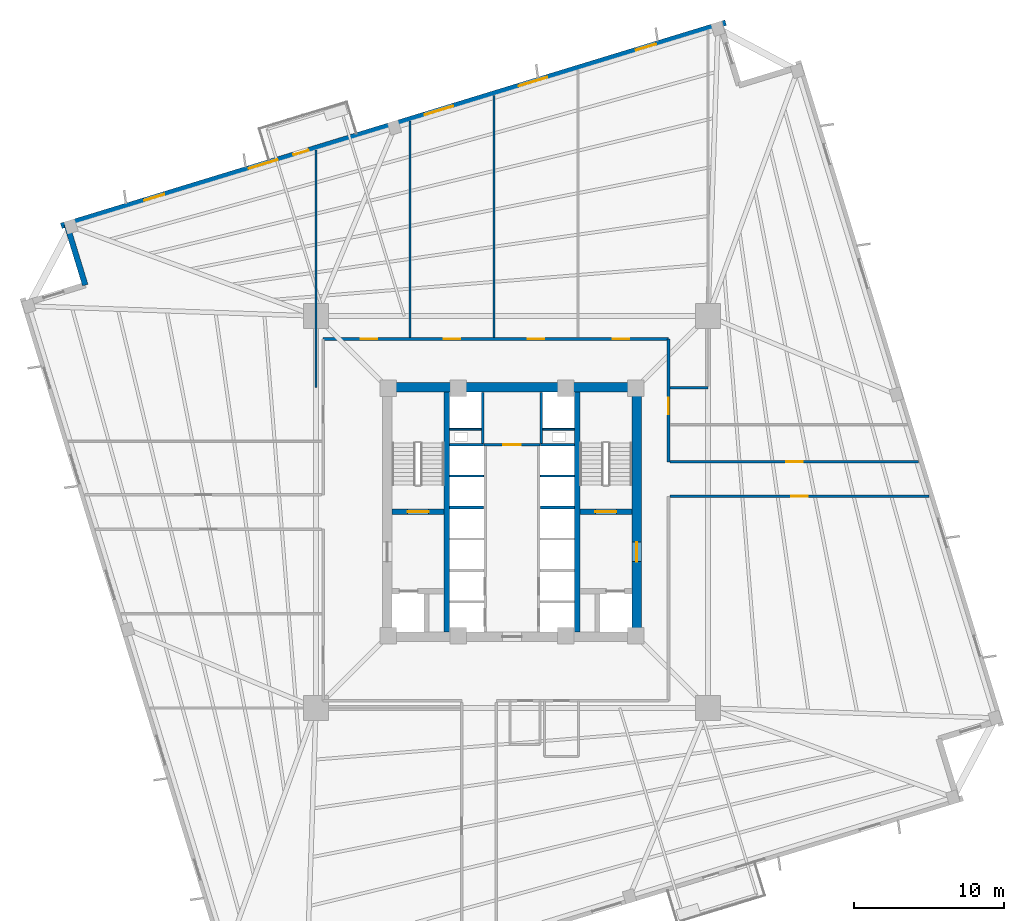
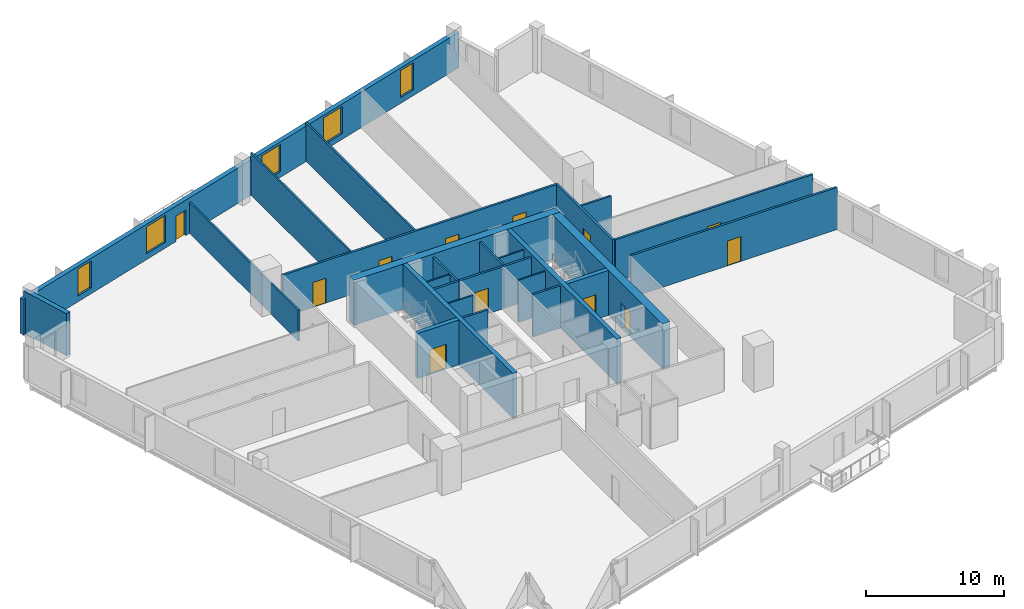
# One storey, part 4 of 8: 27 walls, 12 doors, 5 windows, 17 openings.
"""IFC4 building model written with IfcOpenShell, lengths in metres."""

from ifc_helpers import new_model, si_unit, direction, frame, frame_2d, origin, place, context, subcontext, project, spatial, rectangle, extrude, source, transform, mapped, material, layer, layer_set, type_object, element, fill, save


model = new_model("IFC4")

# Units and contexts
model_context = context("Model", 3, precision=1e-05, world=origin(), true_north=direction((0.0, 1.0)))
body_context = subcontext(model_context, "Body", "Model", "MODEL_VIEW")
ifc_project = project(units=[si_unit("LENGTHUNIT", "METRE"), si_unit("AREAUNIT", "SQUARE_METRE"), si_unit("VOLUMEUNIT", "CUBIC_METRE"), si_unit("PLANEANGLEUNIT", "RADIAN"), si_unit("MASSUNIT", "GRAM", prefix="KILO"), si_unit("THERMODYNAMICTEMPERATUREUNIT", "KELVIN")], contexts=[model_context])

# Site, building, storey
site_placement = place(None, origin())
site = spatial("IfcSite", under=ifc_project, at=site_placement, CompositionType="ELEMENT")
building_placement = place(site_placement, origin())
building = spatial("IfcBuilding", under=site, at=building_placement, Name="Kosmvard Interchange Tower", CompositionType="ELEMENT")
storey_placement = place(building_placement, frame((0.0, 0.0, 87.199951171875)))
storey = spatial("IfcBuildingStorey", under=building, at=storey_placement, Name="L20", CompositionType="ELEMENT", Elevation=87.199951171875)

# Walls
ifc_material_1 = material(Name="Acoustic gypsum partition system")
ifc_layer_1 = layer(ifc_material_1, 0.14990234375, Name="Acoustic gypsum partition system")
ifc_layer_set_1 = layer_set([ifc_layer_1], Name="Acoustic gypsum partition system")
wall_type_1 = type_object("IfcWallType", Name="Acoustic Suite & Meeting Partition 150", PredefinedType="PARTITIONING", material=ifc_layer_set_1)
wall_1_placement = place(storey_placement, frame((-13.0810546875, 8.300048828125, 0.0), z_axis=(0.0, 0.0, 1.0), x_axis=(0.0, 1.0, 0.0)))
element("IfcWall", 1, at=wall_1_placement, inside=storey, type_object=wall_type_1, Name="L20 Room Partition 02.1", PredefinedType="PARTITIONING", context=body_context, shape_type="SweptSolid", body=[
    extrude(rectangle(XDim=15.866455078125, YDim=0.14990234375, at=frame_2d((7.93310546875, 0.0))), origin(), (0.0, 0.0, 1.0), 2.73193359375),
])
wall_2_placement = place(storey_placement, frame((-6.800048828125, 11.64501953125, 0.0), z_axis=(0.0, 0.0, 1.0), x_axis=(0.0, 1.0, 0.0)))
element("IfcWall", 2, at=wall_2_placement, inside=storey, type_object=wall_type_1, Name="L20 Room Partition 03.1", PredefinedType="PARTITIONING", context=body_context, shape_type="SweptSolid", body=[
    extrude(rectangle(XDim=14.441650390625, YDim=0.14990234375, at=frame_2d((7.220703125, 0.0))), origin(), (0.0, 0.0, 1.0), 3.739990234375),
])
wall_3_placement = place(storey_placement, frame((-1.199951171875, 11.64501953125, 0.0), z_axis=(0.0, 0.0, 1.0), x_axis=(0.0, 1.0, 0.0)))
element("IfcWall", 3, at=wall_3_placement, inside=storey, type_object=wall_type_1, Name="L20 Room Partition 04.1", PredefinedType="PARTITIONING", context=body_context, shape_type="SweptSolid", body=[
    extrude(rectangle(XDim=16.15380859375, YDim=0.14990234375, at=frame_2d((8.076904296875, 0.0))), origin(), (0.0, 0.0, 1.0), 3.41015625),
])
wall_4_placement = place(storey_placement, frame((10.544921875, 8.300048828125, 0.0), z_axis=(0.0, 0.0, 1.0), x_axis=(1.0, 0.0, 0.0)))
element("IfcWall", 4, at=wall_4_placement, inside=storey, type_object=wall_type_1, Name="L20 Room Partition 06.1", PredefinedType="PARTITIONING", context=body_context, shape_type="SweptSolid", body=[
    extrude(rectangle(XDim=2.5361328125, YDim=0.14990234375, at=frame_2d((1.26806640625, 0.0))), origin(), (0.0, 0.0, 1.0), 3.739990234375),
])
ifc_material_2 = material(Name="Fire-rated gypsum partition system")
ifc_layer_2 = layer(ifc_material_2, 0.159912109375, Name="Fire-rated gypsum partition system")
ifc_layer_set_2 = layer_set([ifc_layer_2], Name="Fire-rated gypsum partition system")
wall_type_2 = type_object("IfcWallType", Name="Core Compartment & Shuttle Lobby Partition 160", PredefinedType="PARTITIONING", material=ifc_layer_set_2)
for number, where, z_axis, x_axis, name in (
    (5, (-1.9599609375, 4.580078125, 0.0), (0.0, 0.0, 1.0), (0.0, 1.0, 0.0), "L20 North Core West Wall"),
    (6, (1.9599609375, 4.580078125, 0.0), (0.0, 0.0, 1.0), (0.0, 1.0, 0.0), "L20 North Core East Wall"),
):
    element("IfcWall", number, at=place(storey_placement, frame(where, z_axis=z_axis, x_axis=x_axis)), inside=storey, type_object=wall_type_2, Name=name, PredefinedType="PARTITIONING", context=body_context, shape_type="SweptSolid", body=[
        extrude(rectangle(XDim=3.39990234375, YDim=0.159912109375, at=frame_2d((1.699951171875, 0.0))), origin(), (0.0, 0.0, 1.0), 3.739990234375),
    ])

# Wall, opening, door
ifc_layer_3 = layer(ifc_material_2, 0.179931640625, Name="Fire-rated gypsum partition system")
ifc_layer_set_3 = layer_set([ifc_layer_3], Name="Fire-rated gypsum partition system")
wall_type_3 = type_object("IfcWallType", Name="Corridor & Hotel Compartment Partition 180", PredefinedType="PARTITIONING", material=ifc_layer_set_3)
wall_5_placement = place(storey_placement, frame((-1.8798828125, 4.489990234375, 0.0), z_axis=(0.0, 0.0, 1.0), x_axis=(1.0, 0.0, 0.0)))
wall_5 = element("IfcWall", 7, at=wall_5_placement, inside=storey, type_object=wall_type_3, Name="L20 Lift Lobby North Partition", PredefinedType="PARTITIONING", context=body_context, shape_type="SweptSolid", body=[
    extrude(rectangle(XDim=3.759765625, YDim=0.179931640625, at=frame_2d((1.8798828125, 0.0))), origin(), (0.0, 0.0, 1.0), 3.739990234375),
])
opening_1_placement = place(wall_5_placement, frame((1.304931640625, 0.0, 0.0)))
opening_1 = element("IfcOpeningElement", 8, at=opening_1_placement, cuts=wall_5, Name="Opening L20-KD1", PredefinedType="OPENING", context=body_context, shape_type="SweptSolid", body=[
    extrude(rectangle(XDim=1.14990234375, YDim=2.25, at=frame_2d((0.574951171875, 1.125))), frame((0.0, 0.10009765625, 0.0), z_axis=(0.0, -1.0, 0.0), x_axis=(1.0, 0.0, 0.0)), (0.0, 0.0, 1.0), 0.199951171875),
])
ifc_material_3 = material(Name="Painted fire-rated steel leaf", Category="steel")
door_type_1 = type_object("IfcDoorType", Name="Plant & Riser Fire Door 1150x2250 EI60", OperationType="NOTDEFINED", PredefinedType="DOOR", material=ifc_material_3)
shared_shape_1 = source(origin(), body_context, "Body", "SweptSolid", [
    extrude(rectangle(XDim=1.14990234375, YDim=2.25, at=frame_2d((0.574951171875, 1.125))), frame((0.0, 0.02490234375, 0.0), z_axis=(0.0, -1.0, 0.0), x_axis=(1.0, 0.0, 0.0)), (0.0, 0.0, 1.0), 0.050048828125),
])
door_1_placement = place(opening_1_placement, origin())
door_1 = element("IfcDoor", 9, at=door_1_placement, inside=storey, type_object=door_type_1, Name="L20 Core IT Room Door", OperationType="SINGLE_SWING_LEFT", OverallHeight=2.25, OverallWidth=1.14990234375, PredefinedType="DOOR", context=body_context, shape_type="MappedRepresentation", body=[
    mapped(shared_shape_1, transform((0.0, 0.0, 0.0), scale=1.0)),
])
fill(opening_1, door_1)

# Wall, openings, doors
wall_6_placement = place(storey_placement, frame((-12.60009765625, 11.550048828125, 0.0), z_axis=(0.0, 0.0, 1.0), x_axis=(1.0, 0.0, 0.0)))
wall_6 = element("IfcWall", 10, at=wall_6_placement, inside=storey, type_object=wall_type_3, Name="L20 Corridor Wall CN", PredefinedType="PARTITIONING", context=body_context, shape_type="SweptSolid", body=[
    extrude(rectangle(XDim=23.050048828125, YDim=0.179931640625, at=frame_2d((11.52490234375, 0.0))), origin(), (0.0, 0.0, 1.0), 3.739990234375),
])
opening_2_placement = place(wall_6_placement, frame((2.514404296875, 0.0, 0.0)))
opening_2 = element("IfcOpeningElement", 11, at=opening_2_placement, cuts=wall_6, Name="Opening L20-D05", PredefinedType="OPENING", context=body_context, shape_type="SweptSolid", body=[
    extrude(rectangle(XDim=1.10009765625, YDim=2.199951171875, at=frame_2d((0.550048828125, 1.10009765625))), frame((0.0, 0.10009765625, 0.0), z_axis=(0.0, -1.0, 0.0), x_axis=(1.0, 0.0, 0.0)), (0.0, 0.0, 1.0), 0.199951171875),
])
opening_3_placement = place(wall_6_placement, frame((8.050048828125, 0.0, 0.0)))
opening_3 = element("IfcOpeningElement", 12, at=opening_3_placement, cuts=wall_6, Name="Opening L20-D06", PredefinedType="OPENING", context=body_context, shape_type="SweptSolid", body=[
    extrude(rectangle(XDim=1.10009765625, YDim=2.199951171875, at=frame_2d((0.550048828125, 1.10009765625))), frame((0.0, 0.10009765625, 0.0), z_axis=(0.0, -1.0, 0.0), x_axis=(1.0, 0.0, 0.0)), (0.0, 0.0, 1.0), 0.199951171875),
])
opening_4_placement = place(wall_6_placement, frame((13.64990234375, 0.0, 0.0)))
opening_4 = element("IfcOpeningElement", 13, at=opening_4_placement, cuts=wall_6, Name="Opening L20-D07", PredefinedType="OPENING", context=body_context, shape_type="SweptSolid", body=[
    extrude(rectangle(XDim=1.10009765625, YDim=2.199951171875, at=frame_2d((0.550048828125, 1.10009765625))), frame((0.0, 0.10009765625, 0.0), z_axis=(0.0, -1.0, 0.0), x_axis=(1.0, 0.0, 0.0)), (0.0, 0.0, 1.0), 0.199951171875),
])
opening_5_placement = place(wall_6_placement, frame((19.310546875, 0.0, 0.0)))
opening_5 = element("IfcOpeningElement", 14, at=opening_5_placement, cuts=wall_6, Name="Opening L20-D08", PredefinedType="OPENING", context=body_context, shape_type="SweptSolid", body=[
    extrude(rectangle(XDim=1.10009765625, YDim=2.199951171875, at=frame_2d((0.550048828125, 1.10009765625))), frame((0.0, 0.10009765625, 0.0), z_axis=(0.0, -1.0, 0.0), x_axis=(1.0, 0.0, 0.0)), (0.0, 0.0, 1.0), 0.199951171875),
])
ifc_material_4 = material(Name="Engineered oak fire-rated timber", Category="wood")
door_type_2 = type_object("IfcDoorType", Name="Office Suite Entrance Door 1100x2200 FD30S", OperationType="NOTDEFINED", PredefinedType="DOOR", material=ifc_material_4)
shared_shape_2 = source(origin(), body_context, "Body", "SweptSolid", [
    extrude(rectangle(XDim=1.10009765625, YDim=2.199951171875, at=frame_2d((0.550048828125, 1.10009765625))), frame((0.0, 0.02490234375, 0.0), z_axis=(0.0, -1.0, 0.0), x_axis=(1.0, 0.0, 0.0)), (0.0, 0.0, 1.0), 0.050048828125),
])
door_2_placement = place(opening_2_placement, origin())
door_2 = element("IfcDoor", 15, at=door_2_placement, inside=storey, type_object=door_type_2, Name="L20 Corporate Office 3 Door", OperationType="SINGLE_SWING_LEFT", OverallHeight=2.199951171875, OverallWidth=1.10009765625, PredefinedType="DOOR", context=body_context, shape_type="MappedRepresentation", body=[
    mapped(shared_shape_2, transform((0.0, 0.0, 0.0), scale=1.0)),
])
fill(opening_2, door_2)
door_3_placement = place(opening_3_placement, origin())
door_3 = element("IfcDoor", 16, at=door_3_placement, inside=storey, type_object=door_type_2, Name="L20 Corporate Office 4 Door", OperationType="SINGLE_SWING_RIGHT", OverallHeight=2.199951171875, OverallWidth=1.10009765625, PredefinedType="DOOR", context=body_context, shape_type="MappedRepresentation", body=[
    mapped(shared_shape_2, transform((0.0, 0.0, 0.0), scale=1.0)),
])
fill(opening_3, door_3)
door_4_placement = place(opening_4_placement, origin())
door_4 = element("IfcDoor", 17, at=door_4_placement, inside=storey, type_object=door_type_2, Name="L20 Corporate Office 5 Door", OperationType="SINGLE_SWING_LEFT", OverallHeight=2.199951171875, OverallWidth=1.10009765625, PredefinedType="DOOR", context=body_context, shape_type="MappedRepresentation", body=[
    mapped(shared_shape_2, transform((0.0, 0.0, 0.0), scale=1.0)),
])
fill(opening_4, door_4)
door_5_placement = place(opening_5_placement, origin())
door_5 = element("IfcDoor", 18, at=door_5_placement, inside=storey, type_object=door_type_2, Name="L20 Boardroom 1 Door", OperationType="SINGLE_SWING_RIGHT", OverallHeight=2.199951171875, OverallWidth=1.10009765625, PredefinedType="DOOR", context=body_context, shape_type="MappedRepresentation", body=[
    mapped(shared_shape_2, transform((0.0, 0.0, 0.0), scale=1.0)),
])
fill(opening_5, door_5)

# Wall, opening, door
wall_7_placement = place(storey_placement, frame((10.449951171875, 3.35009765625, 0.0), z_axis=(0.0, 0.0, 1.0), x_axis=(0.0, 1.0, 0.0)))
wall_7 = element("IfcWall", 19, at=wall_7_placement, inside=storey, type_object=wall_type_3, Name="L20 Corridor Wall CEN", PredefinedType="PARTITIONING", context=body_context, shape_type="SweptSolid", body=[
    extrude(rectangle(XDim=8.199951171875, YDim=0.179931640625, at=frame_2d((4.10009765625, 0.0))), origin(), (0.0, 0.0, 1.0), 3.739990234375),
])
opening_6_placement = place(wall_7_placement, frame((3.16259765625, 0.0, 0.0)))
opening_6 = element("IfcOpeningElement", 20, at=opening_6_placement, cuts=wall_7, Name="Opening L20-D10", PredefinedType="OPENING", context=body_context, shape_type="SweptSolid", body=[
    extrude(rectangle(XDim=1.10009765625, YDim=2.199951171875, at=frame_2d((0.550048828125, 1.10009765625))), frame((0.0, 0.10009765625, 0.0), z_axis=(0.0, -1.0, 0.0), x_axis=(1.0, 0.0, 0.0)), (0.0, 0.0, 1.0), 0.199951171875),
])
door_6_placement = place(opening_6_placement, frame((1.10009765625, 0.0, 0.0), z_axis=(0.0, 0.0, 1.0), x_axis=(-1.0, 0.0, 0.0)))
door_6 = element("IfcDoor", 21, at=door_6_placement, inside=storey, type_object=door_type_2, Name="L20 Corporate Office 7 Door", OperationType="SINGLE_SWING_RIGHT", OverallHeight=2.199951171875, OverallWidth=1.10009765625, PredefinedType="DOOR", context=body_context, shape_type="MappedRepresentation", body=[
    mapped(shared_shape_2, transform((0.0, 0.0, 0.0), scale=1.0)),
])
fill(opening_6, door_6)

wall_8_placement = place(storey_placement, frame((10.550048828125, 1.050048828125, 0.0), z_axis=(0.0, 0.0, 1.0), x_axis=(1.0, 0.0, 0.0)))
wall_8 = element("IfcWall", 22, at=wall_8_placement, inside=storey, type_object=wall_type_3, Name="L20 Corridor Wall SES", PredefinedType="PARTITIONING", context=body_context, shape_type="SweptSolid", body=[
    extrude(rectangle(XDim=17.294677734375, YDim=0.179931640625, at=frame_2d((8.6474609375, 0.0))), origin(), (0.0, 0.0, 1.0), 3.739990234375),
])
opening_7_placement = place(wall_8_placement, frame((8.097412109375, 0.0, 0.0)))
opening_7 = element("IfcOpeningElement", 23, at=opening_7_placement, cuts=wall_8, Name="Opening L20-D11", PredefinedType="OPENING", context=body_context, shape_type="SweptSolid", body=[
    extrude(rectangle(XDim=1.10009765625, YDim=2.199951171875, at=frame_2d((0.550048828125, 1.10009765625))), frame((0.0, 0.10009765625, 0.0), z_axis=(0.0, -1.0, 0.0), x_axis=(1.0, 0.0, 0.0)), (0.0, 0.0, 1.0), 0.199951171875),
])
door_7_placement = place(opening_7_placement, frame((1.10009765625, 0.0, 0.0), z_axis=(0.0, 0.0, 1.0), x_axis=(-1.0, 0.0, 0.0)))
door_7 = element("IfcDoor", 24, at=door_7_placement, inside=storey, type_object=door_type_2, Name="L20 South-East Corporate Open Workplace Door", OperationType="SINGLE_SWING_LEFT", OverallHeight=2.199951171875, OverallWidth=1.10009765625, PredefinedType="DOOR", context=body_context, shape_type="MappedRepresentation", body=[
    mapped(shared_shape_2, transform((0.0, 0.0, 0.0), scale=1.0)),
])
fill(opening_7, door_7)

wall_9_placement = place(storey_placement, frame((10.550048828125, 3.35009765625, 0.0), z_axis=(0.0, 0.0, 1.0), x_axis=(1.0, 0.0, 0.0)))
wall_9 = element("IfcWall", 25, at=wall_9_placement, inside=storey, type_object=wall_type_3, Name="L20 Corridor Wall SEN", PredefinedType="PARTITIONING", context=body_context, shape_type="SweptSolid", body=[
    extrude(rectangle(XDim=16.591552734375, YDim=0.179931640625, at=frame_2d((8.2958984375, 0.0))), origin(), (0.0, 0.0, 1.0), 3.739990234375),
])
opening_8_placement = place(wall_9_placement, frame((7.745849609375, 0.0, 0.0)))
opening_8 = element("IfcOpeningElement", 26, at=opening_8_placement, cuts=wall_9, Name="Opening L20-D09", PredefinedType="OPENING", context=body_context, shape_type="SweptSolid", body=[
    extrude(rectangle(XDim=1.10009765625, YDim=2.199951171875, at=frame_2d((0.550048828125, 1.10009765625))), frame((0.0, 0.10009765625, 0.0), z_axis=(0.0, -1.0, 0.0), x_axis=(1.0, 0.0, 0.0)), (0.0, 0.0, 1.0), 0.199951171875),
])
door_8_placement = place(opening_8_placement, origin())
door_8 = element("IfcDoor", 27, at=door_8_placement, inside=storey, type_object=door_type_2, Name="L20 Corporate Office 6 Door", OperationType="SINGLE_SWING_LEFT", OverallHeight=2.199951171875, OverallWidth=1.10009765625, PredefinedType="DOOR", context=body_context, shape_type="MappedRepresentation", body=[
    mapped(shared_shape_2, transform((0.0, 0.0, 0.0), scale=1.0)),
])
fill(opening_8, door_8)

# Wall, openings, door, windows
ifc_material_5 = material(Name="Precast concrete C45/55", Category="concrete")
ifc_layer_4 = layer(ifc_material_5, 0.3798828125, Name="Precast concrete C45/55")
ifc_layer_set_4 = layer_set([ifc_layer_4], Name="Precast concrete C45/55")
wall_type_4 = type_object("IfcWallType", Name="Lower Tower Precast Pier Wall 380 C45/55", PredefinedType="STANDARD", material=ifc_layer_set_4)
wall_10_placement = place(storey_placement, frame((14.26513671875, 32.65771484375, 0.0), z_axis=(0.0, 0.0, 1.0), x_axis=(-0.956304320851, -0.292373127906, 0.0)))
wall_10 = element("IfcWall", 28, at=wall_10_placement, inside=storey, type_object=wall_type_4, Name="L20 Precast Facade Wall F-N", PredefinedType="STANDARD", context=body_context, shape_type="SweptSolid", body=[
    extrude(rectangle(XDim=46.380126953125, YDim=0.3798828125, at=frame_2d((23.18994140625, 0.0))), origin(), (0.0, 0.0, 1.0), 3.14013671875),
])
opening_9_placement = place(wall_10_placement, frame((29.114990234375, 0.0, 0.0)))
opening_9 = element("IfcOpeningElement", 29, at=opening_9_placement, cuts=wall_10, Name="Opening L20-BDE", PredefinedType="OPENING", context=body_context, shape_type="SweptSolid", body=[
    extrude(rectangle(XDim=1.050048828125, YDim=2.25, at=frame_2d((0.52490234375, 1.125))), frame((0.0, 0.199951171875, 0.0), z_axis=(0.0, -1.0, 0.0), x_axis=(1.0, 0.0, 0.0)), (0.0, 0.0, 1.0), 0.39990234375),
])
opening_10_placement = place(wall_10_placement, frame((4.865478515625, 0.0, 0.510009765625)))
opening_10 = element("IfcOpeningElement", 30, at=opening_10_placement, cuts=wall_10, Name="Opening L20-W10", PredefinedType="OPENING", context=body_context, shape_type="SweptSolid", body=[
    extrude(rectangle(XDim=1.39990234375, YDim=2.39990234375, at=frame_2d((0.699951171875, 1.199951171875))), frame((0.0, 0.199951171875, 0.0), z_axis=(0.0, -1.0, 0.0), x_axis=(1.0, 0.0, 0.0)), (0.0, 0.0, 1.0), 0.39990234375),
])
opening_11_placement = place(wall_10_placement, frame((12.4501953125, 0.0, 0.510009765625)))
opening_11 = element("IfcOpeningElement", 31, at=opening_11_placement, cuts=wall_10, Name="Opening L20-W11", PredefinedType="OPENING", context=body_context, shape_type="SweptSolid", body=[
    extrude(rectangle(XDim=2.0, YDim=2.39990234375, at=frame_2d((1.0, 1.199951171875))), frame((0.0, 0.199951171875, 0.0), z_axis=(0.0, -1.0, 0.0), x_axis=(1.0, 0.0, 0.0)), (0.0, 0.0, 1.0), 0.39990234375),
])
opening_12_placement = place(wall_10_placement, frame((19.012451171875, 0.0, 0.510009765625)))
opening_12 = element("IfcOpeningElement", 32, at=opening_12_placement, cuts=wall_10, Name="Opening L20-W12", PredefinedType="OPENING", context=body_context, shape_type="SweptSolid", body=[
    extrude(rectangle(XDim=2.0, YDim=2.39990234375, at=frame_2d((1.0, 1.199951171875))), frame((0.0, 0.199951171875, 0.0), z_axis=(0.0, -1.0, 0.0), x_axis=(1.0, 0.0, 0.0)), (0.0, 0.0, 1.0), 0.39990234375),
])
opening_13_placement = place(wall_10_placement, frame((31.288330078125, 0.0, 0.510009765625)))
opening_13 = element("IfcOpeningElement", 33, at=opening_13_placement, cuts=wall_10, Name="Opening L20-W13", PredefinedType="OPENING", context=body_context, shape_type="SweptSolid", body=[
    extrude(rectangle(XDim=2.0, YDim=2.39990234375, at=frame_2d((1.0, 1.199951171875))), frame((0.0, 0.199951171875, 0.0), z_axis=(0.0, -1.0, 0.0), x_axis=(1.0, 0.0, 0.0)), (0.0, 0.0, 1.0), 0.39990234375),
])
opening_14_placement = place(wall_10_placement, frame((39.186767578125, 0.0, 0.510009765625)))
opening_14 = element("IfcOpeningElement", 34, at=opening_14_placement, cuts=wall_10, Name="Opening L20-W14", PredefinedType="OPENING", context=body_context, shape_type="SweptSolid", body=[
    extrude(rectangle(XDim=1.39990234375, YDim=2.39990234375, at=frame_2d((0.699951171875, 1.199951171875))), frame((0.0, 0.199951171875, 0.0), z_axis=(0.0, -1.0, 0.0), x_axis=(1.0, 0.0, 0.0)), (0.0, 0.0, 1.0), 0.39990234375),
])
ifc_material_6 = material(Name="Anodised aluminium and safety glass", Category="aluminium")
door_type_3 = type_object("IfcDoorType", Name="Tree-Balcony Glazed Door 1050x2250", OperationType="NOTDEFINED", PredefinedType="DOOR", material=ifc_material_6)
shared_shape_3 = source(origin(), body_context, "Body", "SweptSolid", [
    extrude(rectangle(XDim=1.050048828125, YDim=2.25, at=frame_2d((0.52490234375, 1.125))), frame((0.0, 0.02490234375, 0.0), z_axis=(0.0, -1.0, 0.0), x_axis=(1.0, 0.0, 0.0)), (0.0, 0.0, 1.0), 0.050048828125),
])
door_9_placement = place(opening_9_placement, origin())
door_9 = element("IfcDoor", 35, at=door_9_placement, inside=storey, type_object=door_type_3, Name="L20 Tree-Balcony Door BAL-L20-NE", OperationType="SINGLE_SWING_LEFT", OverallHeight=2.25, OverallWidth=1.050048828125, PredefinedType="DOOR", context=body_context, shape_type="MappedRepresentation", body=[
    mapped(shared_shape_3, transform((0.0, 0.0, 0.0), scale=1.0)),
])
fill(opening_9, door_9)
ifc_material_7 = material(Name="Low-E solar-control double glazing", Category="glass")
window_type_1 = type_object("IfcWindowType", Name="Notched Corner Feature Window 1400x2400", PartitioningType="SINGLE_PANEL", PredefinedType="WINDOW", material=ifc_material_7)
shared_shape_4 = source(origin(), body_context, "Body", "SweptSolid", [
    extrude(rectangle(XDim=1.39990234375, YDim=2.39990234375, at=frame_2d((0.699951171875, 1.199951171875))), frame((0.0, 0.030029296875, 0.0), z_axis=(0.0, -1.0, 0.0), x_axis=(1.0, 0.0, 0.0)), (0.0, 0.0, 1.0), 0.06005859375),
])
window_1_placement = place(opening_10_placement, origin())
window_1 = element("IfcWindow", 36, at=window_1_placement, inside=storey, type_object=window_type_1, Name="L20 Facade Punched Window 10", OverallHeight=2.39990234375, OverallWidth=1.39990234375, PartitioningType="SINGLE_PANEL", PredefinedType="WINDOW", context=body_context, shape_type="MappedRepresentation", body=[
    mapped(shared_shape_4, transform((0.0, 0.0, 0.0), scale=1.0)),
])
fill(opening_10, window_1)
window_2_placement = place(opening_14_placement, origin())
window_2 = element("IfcWindow", 37, at=window_2_placement, inside=storey, type_object=window_type_1, Name="L20 Facade Punched Window 14", OverallHeight=2.39990234375, OverallWidth=1.39990234375, PartitioningType="SINGLE_PANEL", PredefinedType="WINDOW", context=body_context, shape_type="MappedRepresentation", body=[
    mapped(shared_shape_4, transform((0.0, 0.0, 0.0), scale=1.0)),
])
fill(opening_14, window_2)
window_type_2 = type_object("IfcWindowType", Name="Zone 2 Office Punched Window 2000x2400", PartitioningType="SINGLE_PANEL", PredefinedType="WINDOW", material=ifc_material_7)
shared_shape_5 = source(origin(), body_context, "Body", "SweptSolid", [
    extrude(rectangle(XDim=2.0, YDim=2.39990234375, at=frame_2d((1.0, 1.199951171875))), frame((0.0, 0.030029296875, 0.0), z_axis=(0.0, -1.0, 0.0), x_axis=(1.0, 0.0, 0.0)), (0.0, 0.0, 1.0), 0.06005859375),
])
window_3_placement = place(opening_11_placement, origin())
window_3 = element("IfcWindow", 38, at=window_3_placement, inside=storey, type_object=window_type_2, Name="L20 Facade Punched Window 11", OverallHeight=2.39990234375, OverallWidth=2.0, PartitioningType="SINGLE_PANEL", PredefinedType="WINDOW", context=body_context, shape_type="MappedRepresentation", body=[
    mapped(shared_shape_5, transform((0.0, 0.0, 0.0), scale=1.0)),
])
fill(opening_11, window_3)
window_4_placement = place(opening_12_placement, origin())
window_4 = element("IfcWindow", 39, at=window_4_placement, inside=storey, type_object=window_type_2, Name="L20 Facade Punched Window 12", OverallHeight=2.39990234375, OverallWidth=2.0, PartitioningType="SINGLE_PANEL", PredefinedType="WINDOW", context=body_context, shape_type="MappedRepresentation", body=[
    mapped(shared_shape_5, transform((0.0, 0.0, 0.0), scale=1.0)),
])
fill(opening_12, window_4)
window_5_placement = place(opening_13_placement, origin())
window_5 = element("IfcWindow", 40, at=window_5_placement, inside=storey, type_object=window_type_2, Name="L20 Facade Punched Window 13", OverallHeight=2.39990234375, OverallWidth=2.0, PartitioningType="SINGLE_PANEL", PredefinedType="WINDOW", context=body_context, shape_type="MappedRepresentation", body=[
    mapped(shared_shape_5, transform((0.0, 0.0, 0.0), scale=1.0)),
])
fill(opening_13, window_5)

# Walls
wall_11_placement = place(storey_placement, frame((-29.724853515625, 19.20849609375, 0.0), z_axis=(0.0, 0.0, 1.0), x_axis=(0.292345507338, -0.956312764915, 0.0)))
element("IfcWall", 41, at=wall_11_placement, inside=storey, type_object=wall_type_4, Name="L20 Precast Facade Wall N-NW1", PredefinedType="STANDARD", context=body_context, shape_type="SweptSolid", body=[
    extrude(rectangle(XDim=4.249755859375, YDim=0.3798828125, at=frame_2d((2.125, 0.0))), origin(), (0.0, 0.0, 1.0), 3.739990234375),
])
ifc_material_8 = material(Name="Concrete C70/85", Category="concrete")
ifc_layer_5 = layer(ifc_material_8, 0.64990234375, Name="Concrete C70/85")
ifc_layer_set_5 = layer_set([ifc_layer_5], Name="Concrete C70/85")
wall_type_5 = type_object("IfcWallType", Name="Mid Core Shear Wall 650 C70/85", PredefinedType="SHEAR", material=ifc_layer_set_5)
wall_12_placement = place(storey_placement, frame((-8.64990234375, 8.324951171875, 0.0), z_axis=(0.0, 0.0, 1.0), x_axis=(1.0, 0.0, 0.0)))
element("IfcWall", 42, at=wall_12_placement, inside=storey, type_object=wall_type_5, Name="L20 Core Shear Wall CW-N", PredefinedType="SHEAR", context=body_context, shape_type="SweptSolid", body=[
    extrude(rectangle(XDim=17.2998046875, YDim=0.64990234375, at=frame_2d((8.64990234375, 0.0))), origin(), (0.0, 0.0, 1.0), 4.0),
])

# Wall, opening, door
wall_13_placement = place(storey_placement, frame((8.324951171875, -8.0, 0.0), z_axis=(0.0, 0.0, 1.0), x_axis=(0.0, 1.0, 0.0)))
wall_13 = element("IfcWall", 43, at=wall_13_placement, inside=storey, type_object=wall_type_5, Name="L20 Core Shear Wall CW-E", PredefinedType="SHEAR", context=body_context, shape_type="SweptSolid", body=[
    extrude(rectangle(XDim=16.0, YDim=0.64990234375, at=frame_2d((8.0, 0.0))), origin(), (0.0, 0.0, 1.0), 4.0),
])
opening_15_placement = place(wall_13_placement, frame((4.68994140625, 0.0, 0.0)))
opening_15 = element("IfcOpeningElement", 44, at=opening_15_placement, cuts=wall_13, Name="Opening L20-FD2", PredefinedType="OPENING", context=body_context, shape_type="SweptSolid", body=[
    extrude(rectangle(XDim=1.300048828125, YDim=2.199951171875, at=frame_2d((0.64990234375, 1.10009765625))), frame((0.0, 0.3349609375, 0.0), z_axis=(0.0, -1.0, 0.0), x_axis=(1.0, 0.0, 0.0)), (0.0, 0.0, 1.0), 0.669921875),
])
door_type_4 = type_object("IfcDoorType", Name="Firefighting Lobby Door 1300x2200 EI60", OperationType="NOTDEFINED", PredefinedType="DOOR", material=ifc_material_3)
shared_shape_6 = source(origin(), body_context, "Body", "SweptSolid", [
    extrude(rectangle(XDim=1.300048828125, YDim=2.199951171875, at=frame_2d((0.64990234375, 1.10009765625))), frame((0.0, 0.02490234375, 0.0), z_axis=(0.0, -1.0, 0.0), x_axis=(1.0, 0.0, 0.0)), (0.0, 0.0, 1.0), 0.050048828125),
])
door_10_placement = place(opening_15_placement, origin())
door_10 = element("IfcDoor", 45, at=door_10_placement, inside=storey, type_object=door_type_4, Name="L20 Firefighting Lobby East Door", OperationType="SINGLE_SWING_RIGHT", OverallHeight=2.199951171875, OverallWidth=1.300048828125, PredefinedType="DOOR", context=body_context, shape_type="MappedRepresentation", body=[
    mapped(shared_shape_6, transform((0.0, 0.0, 0.0), scale=1.0)),
])
fill(opening_15, door_10)

# Walls
ifc_material_9 = material(Name="Concrete blockwork masonry", Category="masonry")
ifc_layer_6 = layer(ifc_material_9, 0.179931640625, Name="Concrete blockwork masonry")
ifc_layer_set_6 = layer_set([ifc_layer_6], Name="Concrete blockwork masonry")
wall_type_6 = type_object("IfcWallType", Name="Riser & Lift Bank Divider Wall 180", PredefinedType="PARTITIONING", material=ifc_layer_set_6)
for number, where, z_axis, x_axis, name in (
    (46, (-4.169921875, 0.300048828125, 0.0), (0.0, 0.0, 1.0), (1.0, 0.0, 0.0), "L20 West Bank Divider BD2"),
    (47, (1.889892578125, 0.300048828125, 0.0), (0.0, 0.0, 1.0), (1.0, 0.0, 0.0), "L20 East Bank Divider BD2"),
    (48, (-4.169921875, 4.489990234375, 0.0), (0.0, 0.0, 1.0), (1.0, 0.0, 0.0), "L20 West Bank Divider BD3"),
    (49, (1.889892578125, 4.489990234375, 0.0), (0.0, 0.0, 1.0), (1.0, 0.0, 0.0), "L20 East Bank Divider BD3"),
):
    element("IfcWall", number, at=place(storey_placement, frame(where, z_axis=z_axis, x_axis=x_axis)), inside=storey, type_object=wall_type_6, Name=name, PredefinedType="PARTITIONING", context=body_context, shape_type="SweptSolid", body=[
        extrude(rectangle(XDim=2.280029296875, YDim=0.179931640625, at=frame_2d((1.14013671875, 0.0))), origin(), (0.0, 0.0, 1.0), 3.739990234375),
    ])
ifc_material_10 = material(Name="Fire-rated gypsum shaftwall system")
ifc_layer_7 = layer(ifc_material_10, 0.1201171875, Name="Fire-rated gypsum shaftwall system")
ifc_layer_set_7 = layer_set([ifc_layer_7], Name="Fire-rated gypsum shaftwall system")
wall_type_7 = type_object("IfcWallType", Name="Shaft & Riser Fire Partition 120 EI60", PredefinedType="PARTITIONING", material=ifc_layer_set_7)
for number, where, z_axis, x_axis, name in (
    (50, (-4.159912109375, 2.39990234375, 0.0), (0.0, 0.0, 1.0), (1.0, 0.0, 0.0), "L20 Shaft Divider PL-H1"),
    (51, (1.89990234375, 2.39990234375, 0.0), (0.0, 0.0, 1.0), (1.0, 0.0, 0.0), "L20 Shaft Divider PL-H3"),
):
    element("IfcWall", number, at=place(storey_placement, frame(where, z_axis=z_axis, x_axis=x_axis)), inside=storey, type_object=wall_type_7, Name=name, PredefinedType="PARTITIONING", context=body_context, shape_type="SweptSolid", body=[
        extrude(rectangle(XDim=2.260009765625, YDim=0.1201171875, at=frame_2d((1.1298828125, 0.0))), origin(), (0.0, 0.0, 1.0), 3.739990234375),
    ])
for number, where, z_axis, x_axis, name in (
    (52, (-4.159912109375, 5.52001953125, 0.0), (0.0, 0.0, 1.0), (1.0, 0.0, 0.0), "L20 Riser Shaft Divider W"),
    (53, (2.06005859375, 5.52001953125, 0.0), (0.0, 0.0, 1.0), (1.0, 0.0, 0.0), "L20 Riser Shaft Divider E"),
):
    element("IfcWall", number, at=place(storey_placement, frame(where, z_axis=z_axis, x_axis=x_axis)), inside=storey, type_object=wall_type_7, Name=name, PredefinedType="PARTITIONING", context=body_context, shape_type="SweptSolid", body=[
        extrude(rectangle(XDim=2.099853515625, YDim=0.1201171875, at=frame_2d((1.0498046875, 0.0))), origin(), (0.0, 0.0, 1.0), 3.739990234375),
    ])
ifc_material_11 = material(Name="Concrete C60/75", Category="concrete")
ifc_layer_8 = layer(ifc_material_11, 0.360107421875, Name="Concrete C60/75")
ifc_layer_set_8 = layer_set([ifc_layer_8], Name="Concrete C60/75")
wall_type_8 = type_object("IfcWallType", Name="Stair & Lift Shaft Shear Wall 360 C60/75", PredefinedType="SHEAR", material=ifc_layer_set_8)
for number, where, z_axis, x_axis, name in (
    (54, (-4.360107421875, -8.0, 0.0), (0.0, 0.0, 1.0), (0.0, 1.0, 0.0), "L20 Shaft Shear Wall SW-W"),
    (55, (4.360107421875, -8.0, 0.0), (0.0, 0.0, 1.0), (0.0, 1.0, 0.0), "L20 Shaft Shear Wall SW-E"),
):
    element("IfcWall", number, at=place(storey_placement, frame(where, z_axis=z_axis, x_axis=x_axis)), inside=storey, type_object=wall_type_8, Name=name, PredefinedType="SHEAR", context=body_context, shape_type="SweptSolid", body=[
        extrude(rectangle(XDim=16.0, YDim=0.360107421875, at=frame_2d((8.0, 0.0))), origin(), (0.0, 0.0, 1.0), 4.0),
    ])

# Wall, opening, door
wall_14_placement = place(storey_placement, frame((-8.0, 0.02001953125, 0.0), z_axis=(0.0, 0.0, 1.0), x_axis=(1.0, 0.0, 0.0)))
wall_14 = element("IfcWall", 56, at=wall_14_placement, inside=storey, type_object=wall_type_8, Name="L20 Shaft Shear Wall SW-ST1", PredefinedType="SHEAR", context=body_context, shape_type="SweptSolid", body=[
    extrude(rectangle(XDim=3.4599609375, YDim=0.360107421875, at=frame_2d((1.72998046875, 0.0))), origin(), (0.0, 0.0, 1.0), 4.0),
])
opening_16_placement = place(wall_14_placement, frame((1.030029296875, 0.0, 0.0)))
opening_16 = element("IfcOpeningElement", 57, at=opening_16_placement, cuts=wall_14, Name="Opening L20-SD1", PredefinedType="OPENING", context=body_context, shape_type="SweptSolid", body=[
    extrude(rectangle(XDim=1.39990234375, YDim=2.199951171875, at=frame_2d((0.699951171875, 1.10009765625))), frame((0.0, 0.18994140625, 0.0), z_axis=(0.0, -1.0, 0.0), x_axis=(1.0, 0.0, 0.0)), (0.0, 0.0, 1.0), 0.380126953125),
])
door_type_5 = type_object("IfcDoorType", Name="Protected Stair Door 1400x2200 FD60S", OperationType="NOTDEFINED", PredefinedType="DOOR", material=ifc_material_3)
shared_shape_7 = source(origin(), body_context, "Body", "SweptSolid", [
    extrude(rectangle(XDim=1.39990234375, YDim=2.199951171875, at=frame_2d((0.699951171875, 1.10009765625))), frame((0.0, 0.02490234375, 0.0), z_axis=(0.0, -1.0, 0.0), x_axis=(1.0, 0.0, 0.0)), (0.0, 0.0, 1.0), 0.050048828125),
])
door_11_placement = place(opening_16_placement, origin())
door_11 = element("IfcDoor", 58, at=door_11_placement, inside=storey, type_object=door_type_5, Name="L20 Stair ST-1 Enclosure Door", OperationType="SINGLE_SWING_LEFT", OverallHeight=2.199951171875, OverallWidth=1.39990234375, PredefinedType="DOOR", context=body_context, shape_type="MappedRepresentation", body=[
    mapped(shared_shape_7, transform((0.0, 0.0, 0.0), scale=1.0)),
])
fill(opening_16, door_11)

wall_15_placement = place(storey_placement, frame((4.5400390625, 0.02001953125, 0.0), z_axis=(0.0, 0.0, 1.0), x_axis=(1.0, 0.0, 0.0)))
wall_15 = element("IfcWall", 59, at=wall_15_placement, inside=storey, type_object=wall_type_8, Name="L20 Shaft Shear Wall SW-ST2", PredefinedType="SHEAR", context=body_context, shape_type="SweptSolid", body=[
    extrude(rectangle(XDim=3.4599609375, YDim=0.360107421875, at=frame_2d((1.72998046875, 0.0))), origin(), (0.0, 0.0, 1.0), 4.0),
])
opening_17_placement = place(wall_15_placement, frame((1.030029296875, 0.0, 0.0)))
opening_17 = element("IfcOpeningElement", 60, at=opening_17_placement, cuts=wall_15, Name="Opening L20-SD2", PredefinedType="OPENING", context=body_context, shape_type="SweptSolid", body=[
    extrude(rectangle(XDim=1.39990234375, YDim=2.199951171875, at=frame_2d((0.699951171875, 1.10009765625))), frame((0.0, 0.18994140625, 0.0), z_axis=(0.0, -1.0, 0.0), x_axis=(1.0, 0.0, 0.0)), (0.0, 0.0, 1.0), 0.380126953125),
])
door_12_placement = place(opening_17_placement, origin())
door_12 = element("IfcDoor", 61, at=door_12_placement, inside=storey, type_object=door_type_5, Name="L20 Stair ST-2 Enclosure Door", OperationType="SINGLE_SWING_RIGHT", OverallHeight=2.199951171875, OverallWidth=1.39990234375, PredefinedType="DOOR", context=body_context, shape_type="MappedRepresentation", body=[
    mapped(shared_shape_7, transform((0.0, 0.0, 0.0), scale=1.0)),
])
fill(opening_17, door_12)

save(model, "model.ifc")
